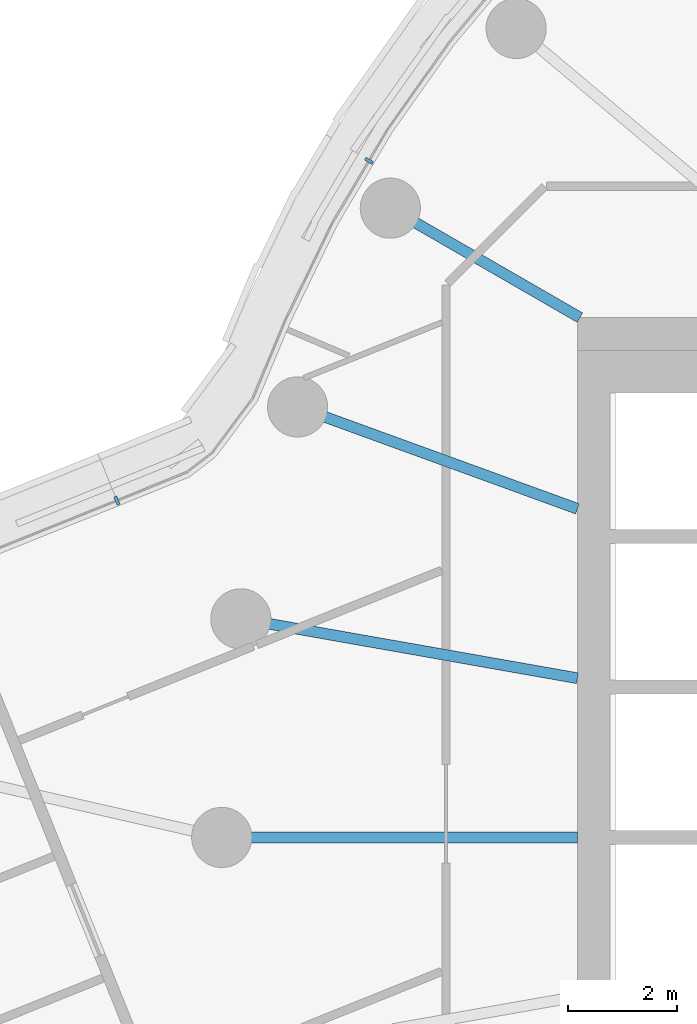
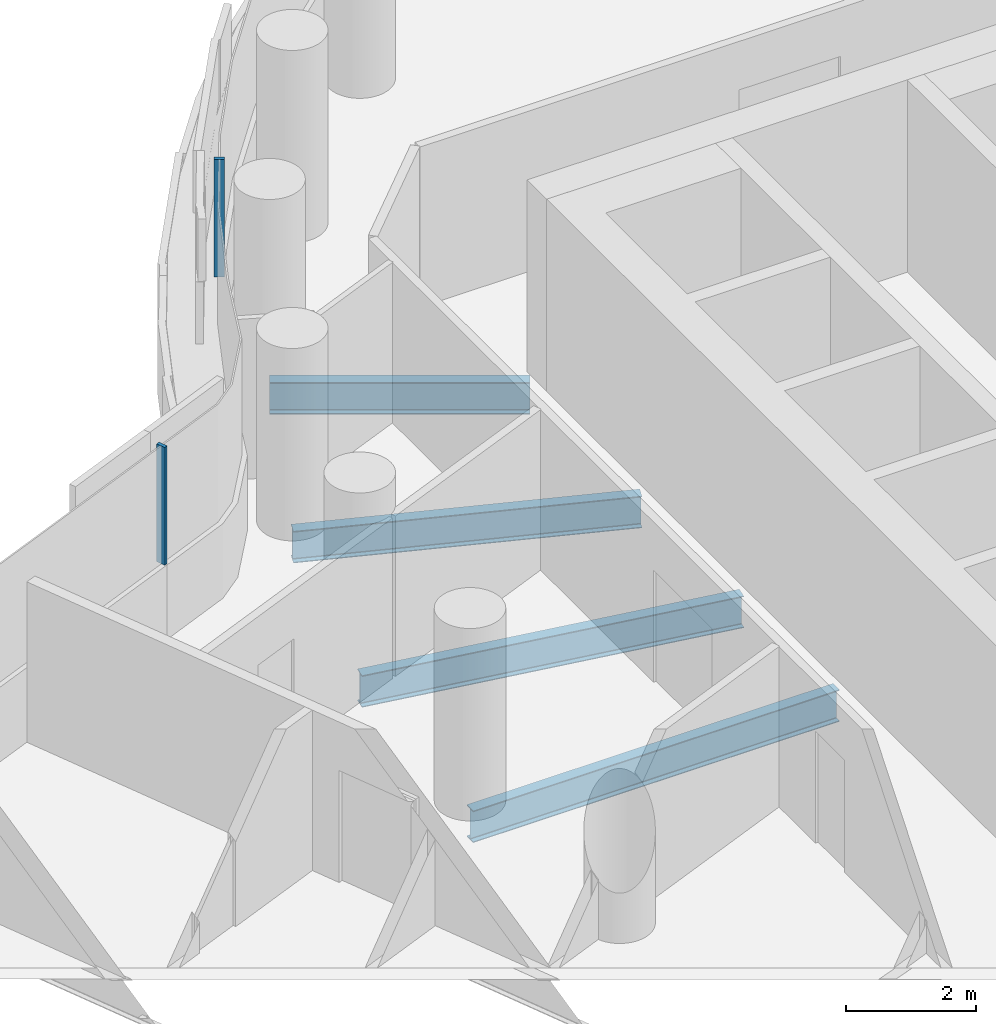
# One storey, part 7 of 32: 4 beams, 2 members, 2 elements without a shape of their own.
"""IFC4 building model written with IfcOpenShell, lengths in metres."""

from ifc_helpers import new_model, si_unit, direction, frame, origin, origin_2d, place, context, subcontext, project, spatial, rectangle, i_section, extrude, material, layer, layer_set, material_profile, profile_set, type_object, element, aggregate, save


model = new_model("IFC4")

# Units and contexts
model_context = context("Model", 3, precision=1e-05, world=origin(), true_north=direction((0.0, 1.0)))
body_context = subcontext(model_context, "Body", "Model", "MODEL_VIEW")
ifc_project = project(units=[si_unit("LENGTHUNIT", "METRE"), si_unit("AREAUNIT", "SQUARE_METRE"), si_unit("VOLUMEUNIT", "CUBIC_METRE"), si_unit("PLANEANGLEUNIT", "RADIAN"), si_unit("MASSUNIT", "GRAM", prefix="KILO")], contexts=[model_context])

# Site, building, storey
site_placement = place(None, origin())
site = spatial("IfcSite", under=ifc_project, at=site_placement, CompositionType="ELEMENT")
building_placement = place(site_placement, origin())
building = spatial("IfcBuilding", under=site, at=building_placement, Name="Tamarind Cross Interchange Tower", CompositionType="ELEMENT")
storey_placement = place(building_placement, frame((0.0, 0.0, 113.5)))
storey = spatial("IfcBuildingStorey", under=building, at=storey_placement, Name="L27", CompositionType="ELEMENT", Elevation=113.5)

# Beams
ifc_material_1 = material(Name="Steel Q355B", Category="steel")
ifc_material_profile_1 = material_profile(ifc_material_1, i_section(OverallWidth=0.198974609375, OverallDepth=0.595947265625, WebThickness=0.010009765625, FlangeThickness=0.014892578125, FilletRadius=0.012939453125, at=origin_2d()), Name="HN 596x199x10x15")
ifc_profile_set_1 = profile_set([ifc_material_profile_1], Name="Steel Q355B")
beam_type = type_object("IfcBeamType", Name="Composite beam HN 596x199x10x15 Q355B", PredefinedType="BEAM", material=ifc_profile_set_1)
beam_1_placement = place(storey_placement, frame((-19.918701171875, 11.5, -0.43798828125), z_axis=(0.866026010844, -0.49999894854, 0.0), x_axis=(0.49999894854, 0.866026010844, 0.0)))
element("IfcBeam", 1, at=beam_1_placement, inside=storey, type_object=beam_type, Name="Beam HH15", PredefinedType="BEAM", context=body_context, shape_type="SweptSolid", body=[
    extrude(i_section(OverallWidth=0.198974609375, OverallDepth=0.595947265625, WebThickness=0.010009765625, FlangeThickness=0.014892578125, FilletRadius=0.012939453125, at=origin_2d()), origin(), (0.0, 0.0, 1.0), 4.0),
])
beam_2_placement = place(storey_placement, frame((-21.613037109375, 7.866455078125, -0.43798828125), z_axis=(0.939701685589, -0.341995236956, 0.0), x_axis=(0.341995236956, 0.939701685589, 0.0)))
element("IfcBeam", 2, at=beam_2_placement, inside=storey, type_object=beam_type, Name="Beam HH16", PredefinedType="BEAM", context=body_context, shape_type="SweptSolid", body=[
    extrude(i_section(OverallWidth=0.198974609375, OverallDepth=0.595947265625, WebThickness=0.010009765625, FlangeThickness=0.014892578125, FilletRadius=0.012939453125, at=origin_2d()), origin(), (0.0, 0.0, 1.0), 5.441162109375),
])
beam_3_placement = place(storey_placement, frame((-22.650634765625, 3.993896484375, -0.43798828125), z_axis=(0.984809127561, -0.173640382036, 0.0), x_axis=(0.173640382036, 0.984809127561, 0.0)))
element("IfcBeam", 3, at=beam_3_placement, inside=storey, type_object=beam_type, Name="Beam HH17", PredefinedType="BEAM", context=body_context, shape_type="SweptSolid", body=[
    extrude(i_section(OverallWidth=0.198974609375, OverallDepth=0.595947265625, WebThickness=0.010009765625, FlangeThickness=0.014892578125, FilletRadius=0.012939453125, at=origin_2d()), origin(), (0.0, 0.0, 1.0), 6.24560546875),
])
beam_4_placement = place(storey_placement, frame((-23.0, 0.0, -0.43798828125), z_axis=(1.0, 0.0, 0.0), x_axis=(0.0, 1.0, 0.0)))
element("IfcBeam", 4, at=beam_4_placement, inside=storey, type_object=beam_type, Name="Beam HH18", PredefinedType="BEAM", context=body_context, shape_type="SweptSolid", body=[
    extrude(i_section(OverallWidth=0.198974609375, OverallDepth=0.595947265625, WebThickness=0.010009765625, FlangeThickness=0.014892578125, FilletRadius=0.012939453125, at=origin_2d()), origin(), (0.0, 0.0, 1.0), 6.5),
])

# Curtain wall, member
ifc_material_2 = material(Name="Aluminium 6063-T6", Category="aluminium")
ifc_layer = layer(ifc_material_2, 0.159912109375)
ifc_layer_set = layer_set([ifc_layer], Name="Aluminium 6063-T6")
curtain_wall_type = type_object("IfcCurtainWallType", Name="Office curtain wall, 9.0 m bays", PredefinedType="NOTDEFINED", material=ifc_layer_set)
curtain_wall_1_placement = place(storey_placement, origin())
curtain_wall_1 = element("IfcCurtainWall", 5, at=curtain_wall_1_placement, inside=storey, type_object=curtain_wall_type, Name="CWS-L27-14", PredefinedType="NOTDEFINED")
ifc_material_profile_2 = material_profile(ifc_material_2, rectangle(XDim=0.06005859375, YDim=0.159912109375, at=origin_2d()), Name="Mullion CW1")
ifc_profile_set_2 = profile_set([ifc_material_profile_2], Name="Aluminium 6063-T6")
member_type = type_object("IfcMemberType", Name="Mullion CW1", PredefinedType="MULLION", material=ifc_profile_set_2)
member_1_placement = place(storey_placement, frame((-20.309326171875, 12.36572265625, 1.39990234375), z_axis=(0.0, 0.0, 1.0), x_axis=(-0.508183308752, -0.861248933065, 0.0)))
member_1 = element("IfcMember", 6, at=member_1_placement, type_object=member_type, Name="CWM-L27-14-02", PredefinedType="MULLION", context=body_context, shape_type="SweptSolid", body=[
    extrude(rectangle(XDim=0.06005859375, YDim=0.159912109375, at=origin_2d()), origin(), (0.0, 0.0, 1.0), 2.210205078125),
])
aggregate(curtain_wall_1, [member_1])

curtain_wall_2_placement = place(storey_placement, origin())
curtain_wall_2 = element("IfcCurtainWall", 7, at=curtain_wall_2_placement, inside=storey, type_object=curtain_wall_type, Name="CWS-L27-15", PredefinedType="NOTDEFINED")
member_2_placement = place(storey_placement, frame((-24.9150390625, 6.15673828125, 1.39990234375), z_axis=(0.0, 0.0, 1.0), x_axis=(-0.927001078252, -0.375058663305, 0.0)))
member_2 = element("IfcMember", 8, at=member_2_placement, type_object=member_type, Name="CWM-L27-15-00", PredefinedType="MULLION", context=body_context, shape_type="SweptSolid", body=[
    extrude(rectangle(XDim=0.06005859375, YDim=0.159912109375, at=origin_2d()), origin(), (0.0, 0.0, 1.0), 2.210205078125),
])
aggregate(curtain_wall_2, [member_2])

save(model, "model.ifc")
